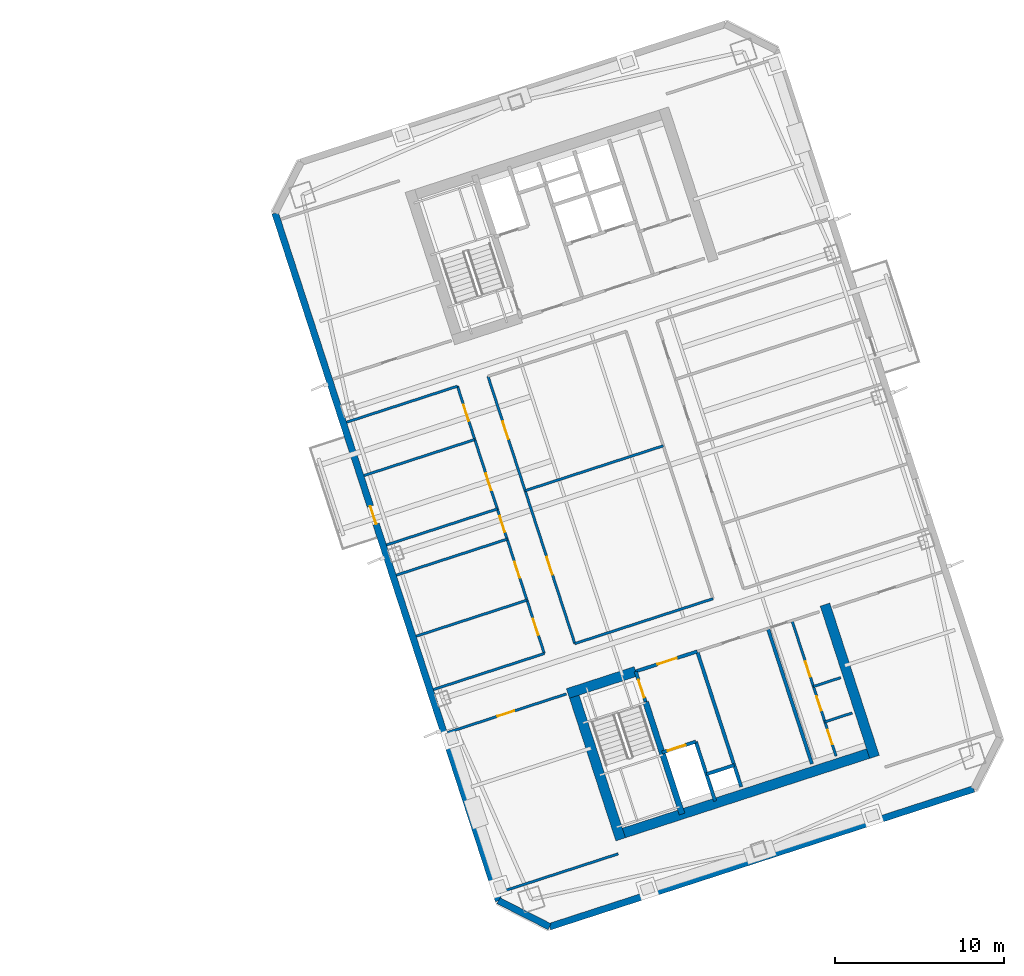
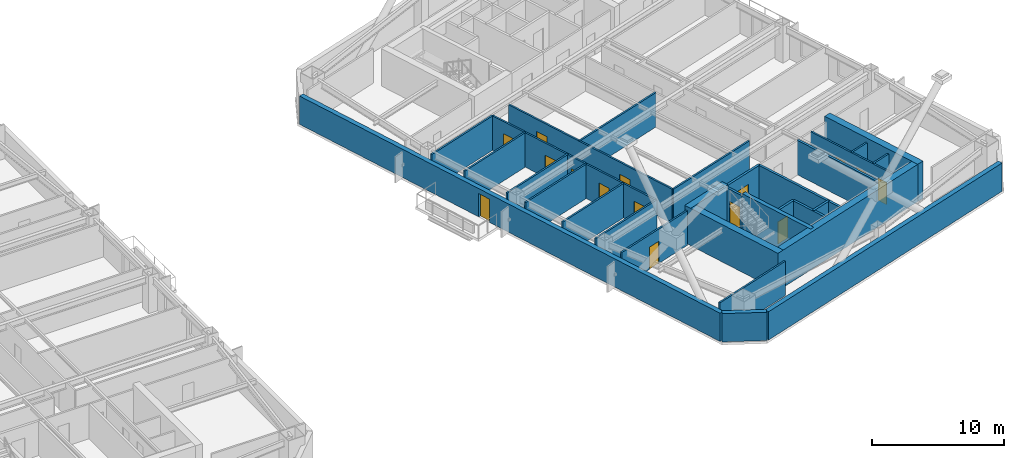
# One storey, part 9 of 18: 30 walls, 15 doors, 15 openings.
"""IFC4 building model written with IfcOpenShell, lengths in metres."""

import ifcopenshell
import ifcopenshell.guid

model = None  # the IFC model being written
_history = None  # IfcOwnerHistory: only IFC2X3 demands one
_inside = {}  # id of a spatial element -> (the spatial element, [elements in it])
_under = {}  # id of a project, library or spatial element -> (it, [spatial elements below it])
_declared = {}  # id of a project -> (the project, [libraries it declares])
_typed = {}  # id of a type object -> (the type object, [elements of that type])
_made_of = {}  # id of a material, layer set ... -> (it, [elements and type objects made of it])


def new_model(schema):
    """Start an empty IFC model of exactly this schema.

    Asked for "IFC4X3", IfcOpenShell would pick the latest addendum, in which some entities
    have other attributes; the version numbers below select the first issue.
    IFC2X3 requires an IfcOwnerHistory on every rooted entity: one is made here for all.
    """
    global model, _history
    if schema == "IFC4X3":
        model = ifcopenshell.file(schema_version=(4, 3, 0, 0))
    else:
        model = ifcopenshell.file(schema=schema)
    _inside.clear()
    _under.clear()
    _declared.clear()
    _typed.clear()
    _made_of.clear()
    _history = None
    if model.schema == "IFC2X3":
        org = make("IfcOrganization", Name="unknown")
        user = make(
            "IfcPersonAndOrganization",
            ThePerson=make("IfcPerson", FamilyName="unknown"),
            TheOrganization=org,
        )
        app = make(
            "IfcApplication",
            ApplicationDeveloper=org,
            Version="unknown",
            ApplicationFullName="unknown",
            ApplicationIdentifier="unknown",
        )
        _history = make(
            "IfcOwnerHistory",
            OwningUser=user,
            OwningApplication=app,
            ChangeAction="ADDED",
            CreationDate=0,
        )
    return model


def make(cls, **values):
    """One entity of the class cls with the attributes given. An attribute that is None is left unset."""
    return model.create_entity(
        cls, **{name: value for name, value in values.items() if value is not None}
    )


def rooted(cls, **values):
    """An entity with a GlobalId (a new one), such as an element, a storey or a relation."""
    return make(cls, GlobalId=ifcopenshell.guid.new(), OwnerHistory=_history, **values)


def si_unit(unit_type, name, prefix=None):
    """IfcSIUnit, for example si_unit("LENGTHUNIT", "METRE", prefix="MILLI")."""
    return make("IfcSIUnit", UnitType=unit_type, Prefix=prefix, Name=name)


def assignment(units):
    """IfcUnitAssignment: the units of a project."""
    return None if units is None else make("IfcUnitAssignment", Units=units)


def point(xyz):
    """IfcCartesianPoint."""
    return None if xyz is None else make("IfcCartesianPoint", Coordinates=xyz)


def direction(xyz):
    """IfcDirection."""
    return None if xyz is None else make("IfcDirection", DirectionRatios=xyz)


def frame(location, z_axis=None, x_axis=None):
    """IfcAxis2Placement3D, a coordinate frame: its origin and axes. An axis left out is left unset."""
    return make(
        "IfcAxis2Placement3D",
        Location=point(location),
        Axis=direction(z_axis),
        RefDirection=direction(x_axis),
    )


def frame_2d(location, x_axis=None):
    """IfcAxis2Placement2D, a coordinate frame in the plane: its origin and x axis."""
    return make(
        "IfcAxis2Placement2D", Location=point(location), RefDirection=direction(x_axis)
    )


def origin():
    """The frame at (0, 0, 0) with its axes left unset."""
    return frame((0.0, 0.0, 0.0))


def place(relative_to, where):
    """IfcLocalPlacement: puts the frame where relative to a parent placement (None: the world)."""
    return make(
        "IfcLocalPlacement", PlacementRelTo=relative_to, RelativePlacement=where
    )


def context(
    kind, dimensions, precision=None, world=None, true_north=None, identifier=None
):
    """IfcGeometricRepresentationContext, for example the 3D "Model" context."""
    return make(
        "IfcGeometricRepresentationContext",
        ContextIdentifier=identifier,
        ContextType=kind,
        CoordinateSpaceDimension=dimensions,
        Precision=precision,
        WorldCoordinateSystem=world,
        TrueNorth=true_north,
    )


def subcontext(parent, identifier, kind, view, scale=None):
    """IfcGeometricRepresentationSubContext, for example "Body" below "Model"."""
    return make(
        "IfcGeometricRepresentationSubContext",
        ContextIdentifier=identifier,
        ContextType=kind,
        ParentContext=parent,
        TargetScale=scale,
        TargetView=view,
    )


def project(units=None, contexts=None):
    """IfcProject with its units and contexts."""
    return rooted(
        "IfcProject",
        Name="project",
        RepresentationContexts=contexts,
        UnitsInContext=assignment(units),
    )


def spatial(cls, under=None, at=None, **own):
    """A site, building, storey or space (cls), placed at a placement, below another one or the project."""
    s = rooted(cls, ObjectPlacement=at, **own)
    if under is not None:
        _under.setdefault(under.id(), (under, []))[1].append(s)
    return s


def profile(cls, at=None, kind="AREA", **sizes):
    """A parametric profile (cls). Its sizes go by their IFC names, for example OverallWidth=200.0."""
    return make(cls, ProfileType=kind, Position=at, **sizes)


def rectangle(**sizes):
    """IfcRectangleProfileDef."""
    return profile("IfcRectangleProfileDef", **sizes)


def extrude(swept, where, along, depth):
    """IfcExtrudedAreaSolid: the profile swept, set in the frame where, extruded along a direction by depth."""
    return make(
        "IfcExtrudedAreaSolid",
        SweptArea=swept,
        Position=where,
        ExtrudedDirection=direction(along),
        Depth=depth,
    )


def shape(context_of_items, identifier, shape_type, items):
    """IfcShapeRepresentation: the items that make up one representation, for example the "Body"."""
    return make(
        "IfcShapeRepresentation",
        ContextOfItems=context_of_items,
        RepresentationIdentifier=identifier,
        RepresentationType=shape_type,
        Items=items,
    )


def material(Name=None, Category=None):
    """IfcMaterial."""
    return make("IfcMaterial", Name=Name, Category=Category)


def layer(
    of_material, thickness, ventilated=None, Name=None, Category=None, Priority=None
):
    """IfcMaterialLayer: one layer of a wall or slab, of a material (None: an air gap)."""
    return make(
        "IfcMaterialLayer",
        Material=of_material,
        LayerThickness=thickness,
        IsVentilated=ventilated,
        Name=Name,
        Category=Category,
        Priority=Priority,
    )


def layer_set(layers, Name=None):
    """IfcMaterialLayerSet."""
    return make("IfcMaterialLayerSet", MaterialLayers=layers, LayerSetName=Name)


def made_of(thing, what):
    """Note that an element or type object is made of a material, layer set ...; save() writes the relation."""
    if what is not None:
        _made_of.setdefault(what.id(), (what, []))[1].append(thing)
    return thing


def type_object(cls, material=None, **own):
    """A type object (cls), such as IfcWallType, which elements share."""
    return made_of(rooted(cls, **own), material)


def element(
    cls,
    number,
    at=None,
    inside=None,
    cuts=None,
    type_object=None,
    material=None,
    context=None,
    identifier="Body",
    shape_type=None,
    held_by="IfcProductDefinitionShape",
    body=None,
    shapes=None,
    **own,
):
    """One element of the class cls, such as IfcWall. Its Tag is "e" and its number.

    at: its placement. inside: the storey or other place that contains it. cuts: it is an
    opening in that element (IfcRelVoidsElement). A single representation is given by context,
    identifier, shape_type and body (its items); several are given by shapes. held_by: the class
    of the entity that holds the representations. save() writes the other relations.
    """
    e = rooted(cls, Tag="e%d" % number, ObjectPlacement=at, **own)
    if body is not None:
        shapes = [shape(context, identifier, shape_type, body)]
    if shapes is not None:
        e.Representation = make(held_by, Representations=shapes)
    if inside is not None:
        _inside.setdefault(inside.id(), (inside, []))[1].append(e)
    if cuts is not None:
        rooted(
            "IfcRelVoidsElement", RelatingBuildingElement=cuts, RelatedOpeningElement=e
        )
    if type_object is not None:
        _typed.setdefault(type_object.id(), (type_object, []))[1].append(e)
    return made_of(e, material)


def fill(opening, filler):
    """IfcRelFillsElement: the door or window that sits in an opening."""
    return rooted(
        "IfcRelFillsElement",
        RelatingOpeningElement=opening,
        RelatedBuildingElement=filler,
    )


def aggregate(whole, parts):
    """IfcRelAggregates: a whole, such as a stair, and the parts it consists of."""
    return rooted("IfcRelAggregates", RelatingObject=whole, RelatedObjects=parts)


def save(model, path):
    """Write the relations noted so far, then the file.

    IfcRelAggregates (storeys below a building ...), IfcRelContainedInSpatialStructure (elements
    in a storey), IfcRelDefinesByType, IfcRelAssociatesMaterial and IfcRelDeclares: one each for
    every whole, place, type object, material and project.
    """
    for whole, parts in _under.values():
        aggregate(whole, parts)
    for where, things in _inside.values():
        rooted(
            "IfcRelContainedInSpatialStructure",
            RelatedElements=things,
            RelatingStructure=where,
        )
    for kind, things in _typed.values():
        rooted("IfcRelDefinesByType", RelatedObjects=things, RelatingType=kind)
    for what, things in _made_of.values():
        rooted("IfcRelAssociatesMaterial", RelatedObjects=things, RelatingMaterial=what)
    for by, libraries in _declared.values():
        rooted("IfcRelDeclares", RelatingContext=by, RelatedDefinitions=libraries)
    model.write(path)


model = new_model("IFC4")

# Units and contexts
model_context = context("Model", 3, precision=1e-05, world=origin(), true_north=direction((0.0, 1.0)))
body_context = subcontext(model_context, "Body", "Model", "MODEL_VIEW")
ifc_project = project(units=[si_unit("LENGTHUNIT", "METRE"), si_unit("AREAUNIT", "SQUARE_METRE"), si_unit("VOLUMEUNIT", "CUBIC_METRE"), si_unit("PLANEANGLEUNIT", "RADIAN"), si_unit("MASSUNIT", "GRAM", prefix="KILO")], contexts=[model_context])

# Site, building, storey
site_placement = place(None, origin())
site = spatial("IfcSite", under=ifc_project, at=site_placement, CompositionType="ELEMENT")
building_placement = place(site_placement, origin())
building = spatial("IfcBuilding", under=site, at=building_placement, Name="Qiaolan Cultural Towers", CompositionType="ELEMENT")
storey_placement = place(building_placement, frame((0.0, 0.0, 163.300048828125)))
storey = spatial("IfcBuildingStorey", under=building, at=storey_placement, Name="L43", CompositionType="ELEMENT", Elevation=163.300048828125)

# Walls
ifc_material_1 = material(Name="Concrete C50", Category="concrete")
ifc_layer_1 = layer(ifc_material_1, 0.35009765625)
ifc_layer_set_1 = layer_set([ifc_layer_1], Name="Concrete C50")
wall_type_1 = type_object("IfcWallType", Name="WL-CORE-350", PredefinedType="SHEAR", material=ifc_layer_set_1)
wall_1_placement = place(storey_placement, frame((90.486328125, 20.59423828125, 0.0), z_axis=(0.0, 0.0, 1.0), x_axis=(0.309020428229, -0.951055400562, 0.0)))
element("IfcWall", 1, at=wall_1_placement, inside=storey, type_object=wall_type_1, Name="L43 T2-CS Stair Core Dividing Web", PredefinedType="SHEAR", context=body_context, shape_type="SweptSolid", body=[
    extrude(rectangle(XDim=6.97998046875, YDim=0.35009765625, at=frame_2d((3.489990234375, 0.0))), origin(), (0.0, 0.0, 1.0), 3.449951171875),
])
ifc_material_2 = material(Name="Concrete C55", Category="concrete")
ifc_layer_2 = layer(ifc_material_2, 0.60009765625)
ifc_layer_set_2 = layer_set([ifc_layer_2], Name="Concrete C55")
wall_type_2 = type_object("IfcWallType", Name="WL-CORE-600", PredefinedType="SHEAR", material=ifc_layer_set_2)
wall_2_placement = place(storey_placement, frame((88.6298828125, 12.65185546875, 0.0), z_axis=(0.0, 0.0, 1.0), x_axis=(0.95105714907, 0.309015046886, 0.0)))
element("IfcWall", 2, at=wall_2_placement, inside=storey, type_object=wall_type_2, Name="L43 T2-CS Outer Core Shear Wall", PredefinedType="SHEAR", context=body_context, shape_type="SweptSolid", body=[
    extrude(rectangle(XDim=16.400146484375, YDim=0.60009765625, at=frame_2d((8.2001953125, 0.0))), origin(), (0.0, 0.0, 1.0), 3.449951171875),
])
wall_3_placement = place(storey_placement, frame((86.078369140625, 21.47509765625, 0.0), z_axis=(0.0, 0.0, 1.0), x_axis=(0.309017938678, -0.951056209472, 0.0)))
element("IfcWall", 3, at=wall_3_placement, inside=storey, type_object=wall_type_2, Name="L43 T2-CS West Core Shear Wall", PredefinedType="SHEAR", context=body_context, shape_type="SweptSolid", body=[
    extrude(rectangle(XDim=9.479736328125, YDim=0.60009765625, at=frame_2d((4.73974609375, 0.0))), origin(), (0.0, 0.0, 1.0), 3.449951171875),
])
wall_4_placement = place(storey_placement, frame((101.105224609375, 26.357666015625, 0.0), z_axis=(0.0, 0.0, 1.0), x_axis=(0.309010370028, -0.95105866865, 0.0)))
element("IfcWall", 4, at=wall_4_placement, inside=storey, type_object=wall_type_2, Name="L43 T2-CS East Core Shear Wall", PredefinedType="SHEAR", context=body_context, shape_type="SweptSolid", body=[
    extrude(rectangle(XDim=9.47998046875, YDim=0.60009765625, at=frame_2d((4.739990234375, 0.0))), origin(), (0.0, 0.0, 1.0), 3.449951171875),
])
wall_5_placement = place(storey_placement, frame((85.8857421875, 21.09716796875, 0.0), z_axis=(0.0, 0.0, 1.0), x_axis=(0.951068073652, 0.308981422225, 0.0)))
element("IfcWall", 5, at=wall_5_placement, inside=storey, type_object=wall_type_2, Name="L43 T2-CS Stair Front Shear Wall", PredefinedType="SHEAR", context=body_context, shape_type="SweptSolid", body=[
    extrude(rectangle(XDim=4.22021484375, YDim=0.60009765625, at=frame_2d((2.110107421875, 0.0))), origin(), (0.0, 0.0, 1.0), 3.449951171875),
])

# Wall, opening, door
ifc_material_3 = material(Name="Precast Concrete C50 Honed Stone Pier", Category="masonry")
ifc_layer_3 = layer(ifc_material_3, 0.39990234375)
ifc_layer_set_3 = layer_set([ifc_layer_3], Name="Precast Concrete C50 Honed Stone Pier")
wall_type_3 = type_object("IfcWallType", Name="WL-EXT-PIER-400", PredefinedType="SOLIDWALL", material=ifc_layer_set_3)
wall_6_placement = place(storey_placement, frame((81.7763671875, 8.82666015625, 0.0), z_axis=(0.0, 0.0, 1.0), x_axis=(-0.309014228706, 0.951057414911, 0.0)))
wall_6 = element("IfcWall", 6, at=wall_6_placement, inside=storey, type_object=wall_type_3, Name="L43 East Tower Precast Pier Facade Wall F1", PredefinedType="SOLIDWALL", context=body_context, shape_type="SweptSolid", body=[
    extrude(rectangle(XDim=42.800048828125, YDim=0.39990234375, at=frame_2d((21.39990234375, 0.0))), origin(), (0.0, 0.0, 1.0), 2.60986328125),
])
opening_1_placement = place(wall_6_placement, frame((23.449951171875, 0.0, 0.0)))
opening_1 = element("IfcOpeningElement", 7, at=opening_1_placement, cuts=wall_6, Name="Opening BD-01", PredefinedType="OPENING", context=body_context, shape_type="SweptSolid", body=[
    extrude(rectangle(XDim=1.10009765625, YDim=2.14990234375, at=frame_2d((0.550048828125, 1.074951171875))), frame((0.0, 0.2099609375, 0.0), z_axis=(0.0, -1.0, 0.0), x_axis=(1.0, 0.0, 0.0)), (0.0, 0.0, 1.0), 0.419921875),
])
ifc_material_4 = material(Name="Thermally Broken Aluminium Glazed Terrace Door", Category="aluminium")
door_type_1 = type_object("IfcDoorType", Name="DR-BAL-1100", OperationType="NOTDEFINED", PredefinedType="DOOR", material=ifc_material_4)
door_1_placement = place(opening_1_placement, origin())
door_1 = element("IfcDoor", 8, at=door_1_placement, inside=storey, type_object=door_type_1, Name="L43 T2 West Tree Balcony Door", OperationType="SINGLE_SWING_LEFT", OverallHeight=2.14990234375, OverallWidth=1.10009765625, PredefinedType="DOOR", context=body_context, shape_type="SweptSolid", body=[
    extrude(rectangle(XDim=1.10009765625, YDim=2.14990234375, at=frame_2d((0.550048828125, 1.074951171875))), frame((0.0, 0.02490234375, 0.0), z_axis=(0.0, -1.0, 0.0), x_axis=(1.0, 0.0, 0.0)), (0.0, 0.0, 1.0), 0.050048828125),
])
fill(opening_1, door_1)

# Walls
wall_7_placement = place(storey_placement, frame((109.908447265625, 15.44384765625, 0.0), z_axis=(0.0, 0.0, 1.0), x_axis=(-0.951057580055, -0.30901372044, 0.0)))
element("IfcWall", 9, at=wall_7_placement, inside=storey, type_object=wall_type_3, Name="L43 East Tower Precast Pier Facade Wall F7", PredefinedType="SOLIDWALL", context=body_context, shape_type="SweptSolid", body=[
    extrude(rectangle(XDim=26.39990234375, YDim=0.39990234375, at=frame_2d((13.199951171875, 0.0))), origin(), (0.0, 0.0, 1.0), 2.60986328125),
])
wall_8_placement = place(storey_placement, frame((84.800537109375, 7.285888671875, 0.0), z_axis=(0.0, 0.0, 1.0), x_axis=(-0.891020832027, 0.453962417932, 0.0)))
element("IfcWall", 10, at=wall_8_placement, inside=storey, type_object=wall_type_3, Name="L43 East Tower Precast Pier Facade Wall F8", PredefinedType="SOLIDWALL", context=body_context, shape_type="SweptSolid", body=[
    extrude(rectangle(XDim=3.39404296875, YDim=0.39990234375, at=frame_2d((1.697021484375, 0.0))), origin(), (0.0, 0.0, 1.0), 2.60986328125),
])

# Wall, opening, door
ifc_material_5 = material(Name="Concrete C35 Fire Wall", Category="concrete")
ifc_layer_4 = layer(ifc_material_5, 0.199951171875)
ifc_layer_set_4 = layer_set([ifc_layer_4], Name="Concrete C35 Fire Wall")
wall_type_4 = type_object("IfcWallType", Name="WL-FIRE-200", PredefinedType="PARTITIONING", material=ifc_layer_set_4)
wall_9_placement = place(storey_placement, frame((89.8994140625, 22.401123046875, 0.0), z_axis=(0.0, 0.0, 1.0), x_axis=(0.308932062672, -0.951084108086, 0.0)))
wall_9 = element("IfcWall", 11, at=wall_9_placement, inside=storey, type_object=wall_type_4, Name="L43 T2-CS Smokeproof Stair Entry Wall", PredefinedType="PARTITIONING", context=body_context, shape_type="SweptSolid", body=[
    extrude(rectangle(XDim=1.89990234375, YDim=0.199951171875, at=frame_2d((0.949951171875, 0.0))), origin(), (0.0, 0.0, 1.0), 3.175048828125),
])
opening_2_placement = place(wall_9_placement, frame((0.52001953125, 0.0, 0.0)))
opening_2 = element("IfcOpeningElement", 12, at=opening_2_placement, cuts=wall_9, Name="Opening FD-04", PredefinedType="OPENING", context=body_context, shape_type="SweptSolid", body=[
    extrude(rectangle(XDim=1.10009765625, YDim=2.050048828125, at=frame_2d((0.550048828125, 1.02490234375))), frame((0.0, 0.10986328125, 0.0), z_axis=(0.0, -1.0, 0.0), x_axis=(1.0, 0.0, 0.0)), (0.0, 0.0, 1.0), 0.219970703125),
])
ifc_material_6 = material(Name="Galvanized Steel Command Fire Door", Category="steel")
door_type_2 = type_object("IfcDoorType", Name="DR-FD90-1100", OperationType="NOTDEFINED", PredefinedType="DOOR", material=ifc_material_6)
door_2_placement = place(opening_2_placement, origin())
door_2 = element("IfcDoor", 13, at=door_2_placement, inside=storey, type_object=door_type_2, Name="L43 ST-E1 Smokeproof Stair Fire Door", OperationType="SINGLE_SWING_LEFT", OverallHeight=2.050048828125, OverallWidth=1.10009765625, PredefinedType="DOOR", context=body_context, shape_type="SweptSolid", body=[
    extrude(rectangle(XDim=1.10009765625, YDim=2.050048828125, at=frame_2d((0.550048828125, 1.02490234375))), frame((0.0, 0.02490234375, 0.0), z_axis=(0.0, -1.0, 0.0), x_axis=(1.0, 0.0, 0.0)), (0.0, 0.0, 1.0), 0.050048828125),
])
fill(opening_2, door_2)

# Wall
wall_10_placement = place(storey_placement, frame((93.541748046875, 23.584716796875, 0.0), z_axis=(0.0, 0.0, 1.0), x_axis=(0.309042196757, -0.951048327176, 0.0)))
element("IfcWall", 14, at=wall_10_placement, inside=storey, type_object=wall_type_4, Name="L43 T2-CS Firefighting Zone Wall", PredefinedType="PARTITIONING", context=body_context, shape_type="SweptSolid", body=[
    extrude(rectangle(XDim=8.429931640625, YDim=0.199951171875, at=frame_2d((4.21484375, 0.0))), origin(), (0.0, 0.0, 1.0), 3.175048828125),
])

# Wall, opening, door
wall_11_placement = place(storey_placement, frame((89.8994140625, 22.401123046875, 0.0), z_axis=(0.0, 0.0, 1.0), x_axis=(0.951046716504, 0.309047153403, 0.0)))
wall_11 = element("IfcWall", 15, at=wall_11_placement, inside=storey, type_object=wall_type_4, Name="L43 T2-CS Firefighting Lobby Front Wall", PredefinedType="PARTITIONING", context=body_context, shape_type="SweptSolid", body=[
    extrude(rectangle(XDim=3.829833984375, YDim=0.199951171875, at=frame_2d((1.9150390625, 0.0))), origin(), (0.0, 0.0, 1.0), 3.175048828125),
])
opening_3_placement = place(wall_11_placement, frame((1.35009765625, 0.0, 0.0)))
opening_3 = element("IfcOpeningElement", 16, at=opening_3_placement, cuts=wall_11, Name="Opening FD-03", PredefinedType="OPENING", context=body_context, shape_type="SweptSolid", body=[
    extrude(rectangle(XDim=1.199951171875, YDim=2.050048828125, at=frame_2d((0.60009765625, 1.02490234375))), frame((0.0, 0.10986328125, 0.0), z_axis=(0.0, -1.0, 0.0), x_axis=(1.0, 0.0, 0.0)), (0.0, 0.0, 1.0), 0.219970703125),
])
ifc_material_7 = material(Name="Galvanized Steel Smokeproof Lobby Fire Door", Category="steel")
door_type_3 = type_object("IfcDoorType", Name="DR-FD90-1200", OperationType="NOTDEFINED", PredefinedType="DOOR", material=ifc_material_7)
door_3_placement = place(opening_3_placement, origin())
door_3 = element("IfcDoor", 17, at=door_3_placement, inside=storey, type_object=door_type_3, Name="L43 FFL-E1 Firefighting Lobby Fire Door", OperationType="SINGLE_SWING_LEFT", OverallHeight=2.050048828125, OverallWidth=1.199951171875, PredefinedType="DOOR", context=body_context, shape_type="SweptSolid", body=[
    extrude(rectangle(XDim=1.199951171875, YDim=2.050048828125, at=frame_2d((0.60009765625, 1.02490234375))), frame((0.0, 0.02490234375, 0.0), z_axis=(0.0, -1.0, 0.0), x_axis=(1.0, 0.0, 0.0)), (0.0, 0.0, 1.0), 0.050048828125),
])
fill(opening_3, door_3)

wall_12_placement = place(storey_placement, frame((91.459716796875, 17.598388671875, 0.0), z_axis=(0.0, 0.0, 1.0), x_axis=(0.951062257173, 0.308999325213, 0.0)))
wall_12 = element("IfcWall", 18, at=wall_12_placement, inside=storey, type_object=wall_type_4, Name="L43 T2-CS Firefighting Shaft Front Wall", PredefinedType="PARTITIONING", context=body_context, shape_type="SweptSolid", body=[
    extrude(rectangle(XDim=2.10009765625, YDim=0.199951171875, at=frame_2d((1.050048828125, 0.0))), origin(), (0.0, 0.0, 1.0), 3.175048828125),
])
opening_4_placement = place(wall_12_placement, frame((0.35009765625, 0.0, 0.0)))
opening_4 = element("IfcOpeningElement", 19, at=opening_4_placement, cuts=wall_12, Name="Opening LD-01", PredefinedType="OPENING", context=body_context, shape_type="SweptSolid", body=[
    extrude(rectangle(XDim=1.10009765625, YDim=2.050048828125, at=frame_2d((0.550048828125, 1.02490234375))), frame((0.0, 0.10986328125, 0.0), z_axis=(0.0, -1.0, 0.0), x_axis=(1.0, 0.0, 0.0)), (0.0, 0.0, 1.0), 0.219970703125),
])
ifc_material_8 = material(Name="Brushed Stainless Steel S30408 Centre-Parting Lift Landing Door", Category="steel")
door_type_4 = type_object("IfcDoorType", Name="DR-LIFT-1100", OperationType="NOTDEFINED", PredefinedType="DOOR", material=ifc_material_8)
door_4_placement = place(opening_4_placement, origin())
door_4 = element("IfcDoor", 20, at=door_4_placement, inside=storey, type_object=door_type_4, Name="L43 FFL-E1 Firefighting Lift Landing Door", OperationType="DOUBLE_DOOR_SLIDING", OverallHeight=2.050048828125, OverallWidth=1.10009765625, PredefinedType="DOOR", context=body_context, shape_type="SweptSolid", body=[
    extrude(rectangle(XDim=1.10009765625, YDim=2.050048828125, at=frame_2d((0.550048828125, 1.02490234375))), frame((0.0, 0.02490234375, 0.0), z_axis=(0.0, -1.0, 0.0), x_axis=(1.0, 0.0, 0.0)), (0.0, 0.0, 1.0), 0.050048828125),
])
fill(opening_4, door_4)

# Walls
wall_13_placement = place(storey_placement, frame((93.45703125, 18.247314453125, 0.0), z_axis=(0.0, 0.0, 1.0), x_axis=(0.3089935693, -0.951064127245, 0.0)))
element("IfcWall", 21, at=wall_13_placement, inside=storey, type_object=wall_type_4, Name="L43 T2-CS Firefighting Hoistway East Wall", PredefinedType="PARTITIONING", context=body_context, shape_type="SweptSolid", body=[
    extrude(rectangle(XDim=3.7001953125, YDim=0.199951171875, at=frame_2d((1.85009765625, 0.0))), origin(), (0.0, 0.0, 1.0), 3.175048828125),
])
wall_14_placement = place(storey_placement, frame((94.08447265625, 16.316650390625, 0.0), z_axis=(0.0, 0.0, 1.0), x_axis=(0.951041328149, 0.309063734775, 0.0)))
element("IfcWall", 22, at=wall_14_placement, inside=storey, type_object=wall_type_4, Name="L43 T2-CS Pressurization Shaft Front Wall", PredefinedType="PARTITIONING", context=body_context, shape_type="SweptSolid", body=[
    extrude(rectangle(XDim=1.72998046875, YDim=0.199951171875, at=frame_2d((0.864990234375, 0.0))), origin(), (0.0, 0.0, 1.0), 3.175048828125),
])
wall_15_placement = place(storey_placement, frame((97.7265625, 24.9443359375, 0.0), z_axis=(0.0, 0.0, 1.0), x_axis=(0.309016001439, -0.951056838919, 0.0)))
element("IfcWall", 23, at=wall_15_placement, inside=storey, type_object=wall_type_4, Name="L43 T2-CS Lift Core East Wall", PredefinedType="PARTITIONING", context=body_context, shape_type="SweptSolid", body=[
    extrude(rectangle(XDim=8.429931640625, YDim=0.199951171875, at=frame_2d((4.21484375, 0.0))), origin(), (0.0, 0.0, 1.0), 3.175048828125),
])

# Wall, openings, doors
ifc_material_9 = material(Name="Autoclaved Aerated Concrete Block B06", Category="concrete")
ifc_layer_5 = layer(ifc_material_9, 0.14990234375)
ifc_layer_set_5 = layer_set([ifc_layer_5], Name="Autoclaved Aerated Concrete Block B06")
wall_type_5 = type_object("IfcWallType", Name="WL-PART-150", PredefinedType="PARTITIONING", material=ifc_layer_set_5)
wall_16_placement = place(storey_placement, frame((99.153076171875, 25.407958984375, 0.0), z_axis=(0.0, 0.0, 1.0), x_axis=(0.309016001439, -0.951056838919, 0.0)))
wall_16 = element("IfcWall", 24, at=wall_16_placement, inside=storey, type_object=wall_type_5, Name="L43 T2-CS Sanitary Vestibule Wall", PredefinedType="PARTITIONING", context=body_context, shape_type="SweptSolid", body=[
    extrude(rectangle(XDim=8.429931640625, YDim=0.14990234375, at=frame_2d((4.21484375, 0.0))), origin(), (0.0, 0.0, 1.0), 3.175048828125),
])
opening_5_placement = place(wall_16_placement, frame((2.550048828125, 0.0, 0.0)))
opening_5 = element("IfcOpeningElement", 25, at=opening_5_placement, cuts=wall_16, Name="Opening ID-05", PredefinedType="OPENING", context=body_context, shape_type="SweptSolid", body=[
    extrude(rectangle(XDim=0.949951171875, YDim=2.050048828125, at=frame_2d((0.47509765625, 1.02490234375))), frame((0.0, 0.0849609375, 0.0), z_axis=(0.0, -1.0, 0.0), x_axis=(1.0, 0.0, 0.0)), (0.0, 0.0, 1.0), 0.169921875),
])
opening_6_placement = place(wall_16_placement, frame((4.699951171875, 0.0, 0.0)))
opening_6 = element("IfcOpeningElement", 26, at=opening_6_placement, cuts=wall_16, Name="Opening ID-06", PredefinedType="OPENING", context=body_context, shape_type="SweptSolid", body=[
    extrude(rectangle(XDim=0.89990234375, YDim=2.050048828125, at=frame_2d((0.449951171875, 1.02490234375))), frame((0.0, 0.0849609375, 0.0), z_axis=(0.0, -1.0, 0.0), x_axis=(1.0, 0.0, 0.0)), (0.0, 0.0, 1.0), 0.169921875),
])
opening_7_placement = place(wall_16_placement, frame((6.800048828125, 0.0, 0.0)))
opening_7 = element("IfcOpeningElement", 27, at=opening_7_placement, cuts=wall_16, Name="Opening ID-06", PredefinedType="OPENING", context=body_context, shape_type="SweptSolid", body=[
    extrude(rectangle(XDim=0.89990234375, YDim=2.050048828125, at=frame_2d((0.449951171875, 1.02490234375))), frame((0.0, 0.0849609375, 0.0), z_axis=(0.0, -1.0, 0.0), x_axis=(1.0, 0.0, 0.0)), (0.0, 0.0, 1.0), 0.169921875),
])
ifc_material_10 = material(Name="Fire-Rated Laminate Core Service Door", Category="timber")
door_type_5 = type_object("IfcDoorType", Name="DR-INT-900", OperationType="NOTDEFINED", PredefinedType="DOOR", material=ifc_material_10)
door_5_placement = place(opening_6_placement, origin())
door_5 = element("IfcDoor", 28, at=door_5_placement, inside=storey, type_object=door_type_5, Name="L43 Men Washroom Door", OperationType="SINGLE_SWING_LEFT", OverallHeight=2.050048828125, OverallWidth=0.89990234375, PredefinedType="DOOR", context=body_context, shape_type="SweptSolid", body=[
    extrude(rectangle(XDim=0.89990234375, YDim=2.050048828125, at=frame_2d((0.449951171875, 1.02490234375))), frame((0.0, 0.02490234375, 0.0), z_axis=(0.0, -1.0, 0.0), x_axis=(1.0, 0.0, 0.0)), (0.0, 0.0, 1.0), 0.050048828125),
])
fill(opening_6, door_5)
door_6_placement = place(opening_7_placement, origin())
door_6 = element("IfcDoor", 29, at=door_6_placement, inside=storey, type_object=door_type_5, Name="L43 Women Washroom Door", OperationType="SINGLE_SWING_RIGHT", OverallHeight=2.050048828125, OverallWidth=0.89990234375, PredefinedType="DOOR", context=body_context, shape_type="SweptSolid", body=[
    extrude(rectangle(XDim=0.89990234375, YDim=2.050048828125, at=frame_2d((0.449951171875, 1.02490234375))), frame((0.0, 0.02490234375, 0.0), z_axis=(0.0, -1.0, 0.0), x_axis=(1.0, 0.0, 0.0)), (0.0, 0.0, 1.0), 0.050048828125),
])
fill(opening_7, door_6)
ifc_material_11 = material(Name="Fire-Rated Laminate Accessible Core Door", Category="timber")
door_type_6 = type_object("IfcDoorType", Name="DR-INT-950", OperationType="NOTDEFINED", PredefinedType="DOOR", material=ifc_material_11)
door_7_placement = place(opening_5_placement, origin())
door_7 = element("IfcDoor", 30, at=door_7_placement, inside=storey, type_object=door_type_6, Name="L43 Accessible Family Washroom Door", OperationType="SINGLE_SWING_LEFT", OverallHeight=2.050048828125, OverallWidth=0.949951171875, PredefinedType="DOOR", context=body_context, shape_type="SweptSolid", body=[
    extrude(rectangle(XDim=0.949951171875, YDim=2.050048828125, at=frame_2d((0.47509765625, 1.02490234375))), frame((0.0, 0.02490234375, 0.0), z_axis=(0.0, -1.0, 0.0), x_axis=(1.0, 0.0, 0.0)), (0.0, 0.0, 1.0), 0.050048828125),
])
fill(opening_5, door_7)

# Walls
wall_17_placement = place(storey_placement, frame((100.420166015625, 21.508544921875, 0.0), z_axis=(0.0, 0.0, 1.0), x_axis=(0.951040401051, 0.309066587596, 0.0)))
element("IfcWall", 31, at=wall_17_placement, inside=storey, type_object=wall_type_5, Name="L43 T2-CS Restroom Split Wall 1", PredefinedType="PARTITIONING", context=body_context, shape_type="SweptSolid", body=[
    extrude(rectangle(XDim=1.699951171875, YDim=0.14990234375, at=frame_2d((0.85009765625, 0.0))), origin(), (0.0, 0.0, 1.0), 3.175048828125),
])
wall_18_placement = place(storey_placement, frame((101.099853515625, 19.416259765625, 0.0), z_axis=(0.0, 0.0, 1.0), x_axis=(0.951054116971, 0.309024378638, 0.0)))
element("IfcWall", 32, at=wall_18_placement, inside=storey, type_object=wall_type_5, Name="L43 T2-CS Restroom Split Wall 2", PredefinedType="PARTITIONING", context=body_context, shape_type="SweptSolid", body=[
    extrude(rectangle(XDim=1.7001953125, YDim=0.14990234375, at=frame_2d((0.85009765625, 0.0))), origin(), (0.0, 0.0, 1.0), 3.175048828125),
])
wall_19_placement = place(storey_placement, frame((81.82763671875, 9.31640625, 0.0), z_axis=(0.0, 0.0, 1.0), x_axis=(0.95105128112, 0.309033106124, 0.0)))
element("IfcWall", 33, at=wall_19_placement, inside=storey, type_object=wall_type_5, Name="L43 T2 Flank Wall FLK-SW", PredefinedType="PARTITIONING", context=body_context, shape_type="SweptSolid", body=[
    extrude(rectangle(XDim=7.400146484375, YDim=0.14990234375, at=frame_2d((3.7001953125, 0.0))), origin(), (0.0, 0.0, 1.0), 3.175048828125),
])

# Wall, opening, door
wall_20_placement = place(storey_placement, frame((78.7529296875, 18.779541015625, 0.0), z_axis=(0.0, 0.0, 1.0), x_axis=(0.951060977215, 0.309003264738, 0.0)))
wall_20 = element("IfcWall", 34, at=wall_20_placement, inside=storey, type_object=wall_type_5, Name="L43 T2 Flank Front FLK-SW", PredefinedType="PARTITIONING", context=body_context, shape_type="SweptSolid", body=[
    extrude(rectangle(XDim=7.39990234375, YDim=0.14990234375, at=frame_2d((3.699951171875, 0.0))), origin(), (0.0, 0.0, 1.0), 3.175048828125),
])
opening_8_placement = place(wall_20_placement, frame((3.10791015625, 0.0, 0.0)))
opening_8 = element("IfcOpeningElement", 35, at=opening_8_placement, cuts=wall_20, Name="Opening ID-07", PredefinedType="OPENING", context=body_context, shape_type="SweptSolid", body=[
    extrude(rectangle(XDim=1.050048828125, YDim=2.050048828125, at=frame_2d((0.52490234375, 1.02490234375))), frame((0.0, 0.0849609375, 0.0), z_axis=(0.0, -1.0, 0.0), x_axis=(1.0, 0.0, 0.0)), (0.0, 0.0, 1.0), 0.169921875),
])
ifc_material_12 = material(Name="Oak Veneer Consultation Door", Category="timber")
door_type_7 = type_object("IfcDoorType", Name="DR-INT-1050", OperationType="NOTDEFINED", PredefinedType="DOOR", material=ifc_material_12)
door_8_placement = place(opening_8_placement, origin())
door_8 = element("IfcDoor", 36, at=door_8_placement, inside=storey, type_object=door_type_7, Name="L43 T2 Corner Studio Door", OperationType="SINGLE_SWING_LEFT", OverallHeight=2.050048828125, OverallWidth=1.050048828125, PredefinedType="DOOR", context=body_context, shape_type="SweptSolid", body=[
    extrude(rectangle(XDim=1.050048828125, YDim=2.050048828125, at=frame_2d((0.52490234375, 1.02490234375))), frame((0.0, 0.02490234375, 0.0), z_axis=(0.0, -1.0, 0.0), x_axis=(1.0, 0.0, 0.0)), (0.0, 0.0, 1.0), 0.050048828125),
])
fill(opening_8, door_8)

# Walls
wall_21_placement = place(storey_placement, frame((77.9248046875, 21.328369140625, 0.0), z_axis=(0.0, 0.0, 1.0), x_axis=(0.951061887302, 0.309000463626, 0.0)))
element("IfcWall", 37, at=wall_21_placement, inside=storey, type_object=wall_type_5, Name="L43 T2 Interior Wall", PredefinedType="PARTITIONING", context=body_context, shape_type="SweptSolid", body=[
    extrude(rectangle(XDim=6.89990234375, YDim=0.14990234375, at=frame_2d((3.449951171875, 0.0))), origin(), (0.0, 0.0, 1.0), 3.175048828125),
])
wall_22_placement = place(storey_placement, frame((86.2939453125, 24.047607421875, 0.0), z_axis=(0.0, 0.0, 1.0), x_axis=(0.951052008164, 0.309030868631, 0.0)))
element("IfcWall", 38, at=wall_22_placement, inside=storey, type_object=wall_type_5, Name="L43 T2 Interior Wall", PredefinedType="PARTITIONING", context=body_context, shape_type="SweptSolid", body=[
    extrude(rectangle(XDim=8.60009765625, YDim=0.14990234375, at=frame_2d((4.300048828125, 0.0))), origin(), (0.0, 0.0, 1.0), 3.175048828125),
])
wall_23_placement = place(storey_placement, frame((72.78271484375, 37.15380859375, 0.0), z_axis=(0.0, 0.0, 1.0), x_axis=(0.951051488548, 0.309032467762, 0.0)))
element("IfcWall", 39, at=wall_23_placement, inside=storey, type_object=wall_type_5, Name="L43 T2 Interior Wall", PredefinedType="PARTITIONING", context=body_context, shape_type="SweptSolid", body=[
    extrude(rectangle(XDim=6.89990234375, YDim=0.14990234375, at=frame_2d((3.449951171875, 0.0))), origin(), (0.0, 0.0, 1.0), 3.175048828125),
])

# Wall, openings, doors
wall_24_placement = place(storey_placement, frame((84.487060546875, 23.46044921875, 0.0), z_axis=(0.0, 0.0, 1.0), x_axis=(-0.30901773025, 0.951056277195, 0.0)))
wall_24 = element("IfcWall", 40, at=wall_24_placement, inside=storey, type_object=wall_type_5, Name="L43 T2 Interior Wall", PredefinedType="PARTITIONING", context=body_context, shape_type="SweptSolid", body=[
    extrude(rectangle(XDim=16.64013671875, YDim=0.14990234375, at=frame_2d((8.320068359375, 0.0))), origin(), (0.0, 0.0, 1.0), 3.175048828125),
])
opening_9_placement = place(wall_24_placement, frame((1.159912109375, 0.0, 0.0)))
opening_9 = element("IfcOpeningElement", 41, at=opening_9_placement, cuts=wall_24, Name="Opening ID-04", PredefinedType="OPENING", context=body_context, shape_type="SweptSolid", body=[
    extrude(rectangle(XDim=1.0, YDim=2.050048828125, at=frame_2d((0.5, 1.02490234375))), frame((0.0, 0.0849609375, 0.0), z_axis=(0.0, -1.0, 0.0), x_axis=(1.0, 0.0, 0.0)), (0.0, 0.0, 1.0), 0.169921875),
])
opening_10_placement = place(wall_24_placement, frame((4.719970703125, 0.0, 0.0)))
opening_10 = element("IfcOpeningElement", 42, at=opening_10_placement, cuts=wall_24, Name="Opening ID-04", PredefinedType="OPENING", context=body_context, shape_type="SweptSolid", body=[
    extrude(rectangle(XDim=1.0, YDim=2.050048828125, at=frame_2d((0.5, 1.02490234375))), frame((0.0, 0.0849609375, 0.0), z_axis=(0.0, -1.0, 0.0), x_axis=(1.0, 0.0, 0.0)), (0.0, 0.0, 1.0), 0.169921875),
])
opening_11_placement = place(wall_24_placement, frame((7.56005859375, 0.0, 0.0)))
opening_11 = element("IfcOpeningElement", 43, at=opening_11_placement, cuts=wall_24, Name="Opening ID-04", PredefinedType="OPENING", context=body_context, shape_type="SweptSolid", body=[
    extrude(rectangle(XDim=1.0, YDim=2.050048828125, at=frame_2d((0.5, 1.02490234375))), frame((0.0, 0.0849609375, 0.0), z_axis=(0.0, -1.0, 0.0), x_axis=(1.0, 0.0, 0.0)), (0.0, 0.0, 1.0), 0.169921875),
])
opening_12_placement = place(wall_24_placement, frame((10.159912109375, 0.0, 0.0)))
opening_12 = element("IfcOpeningElement", 44, at=opening_12_placement, cuts=wall_24, Name="Opening ID-07", PredefinedType="OPENING", context=body_context, shape_type="SweptSolid", body=[
    extrude(rectangle(XDim=1.050048828125, YDim=2.050048828125, at=frame_2d((0.52490234375, 1.02490234375))), frame((0.0, 0.0849609375, 0.0), z_axis=(0.0, -1.0, 0.0), x_axis=(1.0, 0.0, 0.0)), (0.0, 0.0, 1.0), 0.169921875),
])
opening_13_placement = place(wall_24_placement, frame((14.47998046875, 0.0, 0.0)))
opening_13 = element("IfcOpeningElement", 45, at=opening_13_placement, cuts=wall_24, Name="Opening ID-04", PredefinedType="OPENING", context=body_context, shape_type="SweptSolid", body=[
    extrude(rectangle(XDim=1.0, YDim=2.050048828125, at=frame_2d((0.5, 1.02490234375))), frame((0.0, 0.0849609375, 0.0), z_axis=(0.0, -1.0, 0.0), x_axis=(1.0, 0.0, 0.0)), (0.0, 0.0, 1.0), 0.169921875),
])
ifc_material_13 = material(Name="Oak Veneer Acoustic Office Door", Category="timber")
door_type_8 = type_object("IfcDoorType", Name="DR-INT-1000", OperationType="NOTDEFINED", PredefinedType="DOOR", material=ifc_material_13)
door_9_placement = place(opening_9_placement, origin())
door_9 = element("IfcDoor", 46, at=door_9_placement, inside=storey, type_object=door_type_8, Name="L43 T2 Executive Boardroom Door", OperationType="SINGLE_SWING_LEFT", OverallHeight=2.050048828125, OverallWidth=1.0, PredefinedType="DOOR", context=body_context, shape_type="SweptSolid", body=[
    extrude(rectangle(XDim=1.0, YDim=2.050048828125, at=frame_2d((0.5, 1.02490234375))), frame((0.0, 0.02490234375, 0.0), z_axis=(0.0, -1.0, 0.0), x_axis=(1.0, 0.0, 0.0)), (0.0, 0.0, 1.0), 0.050048828125),
])
fill(opening_9, door_9)
door_10_placement = place(opening_10_placement, origin())
door_10 = element("IfcDoor", 47, at=door_10_placement, inside=storey, type_object=door_type_8, Name="L43 T2 Executive Boardroom Door", OperationType="SINGLE_SWING_RIGHT", OverallHeight=2.050048828125, OverallWidth=1.0, PredefinedType="DOOR", context=body_context, shape_type="SweptSolid", body=[
    extrude(rectangle(XDim=1.0, YDim=2.050048828125, at=frame_2d((0.5, 1.02490234375))), frame((0.0, 0.02490234375, 0.0), z_axis=(0.0, -1.0, 0.0), x_axis=(1.0, 0.0, 0.0)), (0.0, 0.0, 1.0), 0.050048828125),
])
fill(opening_10, door_10)
door_11_placement = place(opening_11_placement, origin())
door_11 = element("IfcDoor", 48, at=door_11_placement, inside=storey, type_object=door_type_8, Name="L43 T2 Executive Boardroom Door", OperationType="SINGLE_SWING_LEFT", OverallHeight=2.050048828125, OverallWidth=1.0, PredefinedType="DOOR", context=body_context, shape_type="SweptSolid", body=[
    extrude(rectangle(XDim=1.0, YDim=2.050048828125, at=frame_2d((0.5, 1.02490234375))), frame((0.0, 0.02490234375, 0.0), z_axis=(0.0, -1.0, 0.0), x_axis=(1.0, 0.0, 0.0)), (0.0, 0.0, 1.0), 0.050048828125),
])
fill(opening_11, door_11)
door_12_placement = place(opening_13_placement, origin())
door_12 = element("IfcDoor", 49, at=door_12_placement, inside=storey, type_object=door_type_8, Name="L43 T2 VIP Lounge Door", OperationType="SINGLE_SWING_RIGHT", OverallHeight=2.050048828125, OverallWidth=1.0, PredefinedType="DOOR", context=body_context, shape_type="SweptSolid", body=[
    extrude(rectangle(XDim=1.0, YDim=2.050048828125, at=frame_2d((0.5, 1.02490234375))), frame((0.0, 0.02490234375, 0.0), z_axis=(0.0, -1.0, 0.0), x_axis=(1.0, 0.0, 0.0)), (0.0, 0.0, 1.0), 0.050048828125),
])
fill(opening_13, door_12)
door_13_placement = place(opening_12_placement, origin())
door_13 = element("IfcDoor", 50, at=door_13_placement, inside=storey, type_object=door_type_7, Name="L43 T2 Executive Boardroom Door", OperationType="SINGLE_SWING_RIGHT", OverallHeight=2.050048828125, OverallWidth=1.050048828125, PredefinedType="DOOR", context=body_context, shape_type="SweptSolid", body=[
    extrude(rectangle(XDim=1.050048828125, YDim=2.050048828125, at=frame_2d((0.52490234375, 1.02490234375))), frame((0.0, 0.02490234375, 0.0), z_axis=(0.0, -1.0, 0.0), x_axis=(1.0, 0.0, 0.0)), (0.0, 0.0, 1.0), 0.050048828125),
])
fill(opening_12, door_13)

wall_25_placement = place(storey_placement, frame((86.2939453125, 24.047607421875, 0.0), z_axis=(0.0, 0.0, 1.0), x_axis=(-0.309004459387, 0.951060589068, 0.0)))
wall_25 = element("IfcWall", 51, at=wall_25_placement, inside=storey, type_object=wall_type_5, Name="L43 T2 Interior Wall", PredefinedType="PARTITIONING", context=body_context, shape_type="SweptSolid", body=[
    extrude(rectangle(XDim=16.64013671875, YDim=0.14990234375, at=frame_2d((8.320068359375, 0.0))), origin(), (0.0, 0.0, 1.0), 3.175048828125),
])
opening_14_placement = place(wall_25_placement, frame((4.283935546875, 0.0, 0.0)))
opening_14 = element("IfcOpeningElement", 52, at=opening_14_placement, cuts=wall_25, Name="Opening ID-03", PredefinedType="OPENING", context=body_context, shape_type="SweptSolid", body=[
    extrude(rectangle(XDim=1.10009765625, YDim=2.050048828125, at=frame_2d((0.550048828125, 1.02490234375))), frame((0.0, 0.0849609375, 0.0), z_axis=(0.0, -1.0, 0.0), x_axis=(1.0, 0.0, 0.0)), (0.0, 0.0, 1.0), 0.169921875),
])
opening_15_placement = place(wall_25_placement, frame((12.72412109375, 0.0, 0.0)))
opening_15 = element("IfcOpeningElement", 53, at=opening_15_placement, cuts=wall_25, Name="Opening ID-03", PredefinedType="OPENING", context=body_context, shape_type="SweptSolid", body=[
    extrude(rectangle(XDim=1.10009765625, YDim=2.050048828125, at=frame_2d((0.550048828125, 1.02490234375))), frame((0.0, 0.0849609375, 0.0), z_axis=(0.0, -1.0, 0.0), x_axis=(1.0, 0.0, 0.0)), (0.0, 0.0, 1.0), 0.169921875),
])
ifc_material_14 = material(Name="Oak Veneer Solid-Core Boardroom Door", Category="timber")
door_type_9 = type_object("IfcDoorType", Name="DR-INT-1100", OperationType="NOTDEFINED", PredefinedType="DOOR", material=ifc_material_14)
door_14_placement = place(opening_14_placement, origin())
door_14 = element("IfcDoor", 54, at=door_14_placement, inside=storey, type_object=door_type_9, Name="L43 T2 Central Boardroom Door", OperationType="SINGLE_SWING_LEFT", OverallHeight=2.050048828125, OverallWidth=1.10009765625, PredefinedType="DOOR", context=body_context, shape_type="SweptSolid", body=[
    extrude(rectangle(XDim=1.10009765625, YDim=2.050048828125, at=frame_2d((0.550048828125, 1.02490234375))), frame((0.0, 0.02490234375, 0.0), z_axis=(0.0, -1.0, 0.0), x_axis=(1.0, 0.0, 0.0)), (0.0, 0.0, 1.0), 0.050048828125),
])
fill(opening_14, door_14)
door_15_placement = place(opening_15_placement, origin())
door_15 = element("IfcDoor", 55, at=door_15_placement, inside=storey, type_object=door_type_9, Name="L43 T2 Central Archive Salon Door", OperationType="SINGLE_SWING_RIGHT", OverallHeight=2.050048828125, OverallWidth=1.10009765625, PredefinedType="DOOR", context=body_context, shape_type="SweptSolid", body=[
    extrude(rectangle(XDim=1.10009765625, YDim=2.050048828125, at=frame_2d((0.550048828125, 1.02490234375))), frame((0.0, 0.02490234375, 0.0), z_axis=(0.0, -1.0, 0.0), x_axis=(1.0, 0.0, 0.0)), (0.0, 0.0, 1.0), 0.050048828125),
])
fill(opening_15, door_15)

# Walls
wall_26_placement = place(storey_placement, frame((83.352294921875, 33.101806640625, 0.0), z_axis=(0.0, 0.0, 1.0), x_axis=(0.951057640494, 0.309013534425, 0.0)))
element("IfcWall", 56, at=wall_26_placement, inside=storey, type_object=wall_type_5, Name="L43 T2 Interior Wall", PredefinedType="PARTITIONING", context=body_context, shape_type="SweptSolid", body=[
    extrude(rectangle(XDim=8.599853515625, YDim=0.14990234375, at=frame_2d((4.2998046875, 0.0))), origin(), (0.0, 0.0, 1.0), 3.175048828125),
])
for number, where, z_axis, x_axis, name in (
    (57, (76.89892578125, 24.48583984375, 0.0), (0.0, 0.0, 1.0), (0.951051488548, 0.309032467762, 0.0), "L43 T2 Interior Wall"),
    (58, (75.724609375, 28.099853515625, 0.0), (0.0, 0.0, 1.0), (0.951051488548, 0.309032467762, 0.0), "L43 T2 Interior Wall"),
    (59, (75.1435546875, 29.887939453125, 0.0), (0.0, 0.0, 1.0), (0.951061887302, 0.309000463626, 0.0), "L43 T2 Interior Wall"),
    (60, (73.80859375, 33.996337890625, 0.0), (0.0, 0.0, 1.0), (0.951051488548, 0.309032467762, 0.0), "L43 T2 Interior Wall"),
):
    element("IfcWall", number, at=place(storey_placement, frame(where, z_axis=z_axis, x_axis=x_axis)), inside=storey, type_object=wall_type_5, Name=name, PredefinedType="PARTITIONING", context=body_context, shape_type="SweptSolid", body=[
        extrude(rectangle(XDim=6.89990234375, YDim=0.14990234375, at=frame_2d((3.449951171875, 0.0))), origin(), (0.0, 0.0, 1.0), 3.175048828125),
    ])

save(model, "model.ifc")
